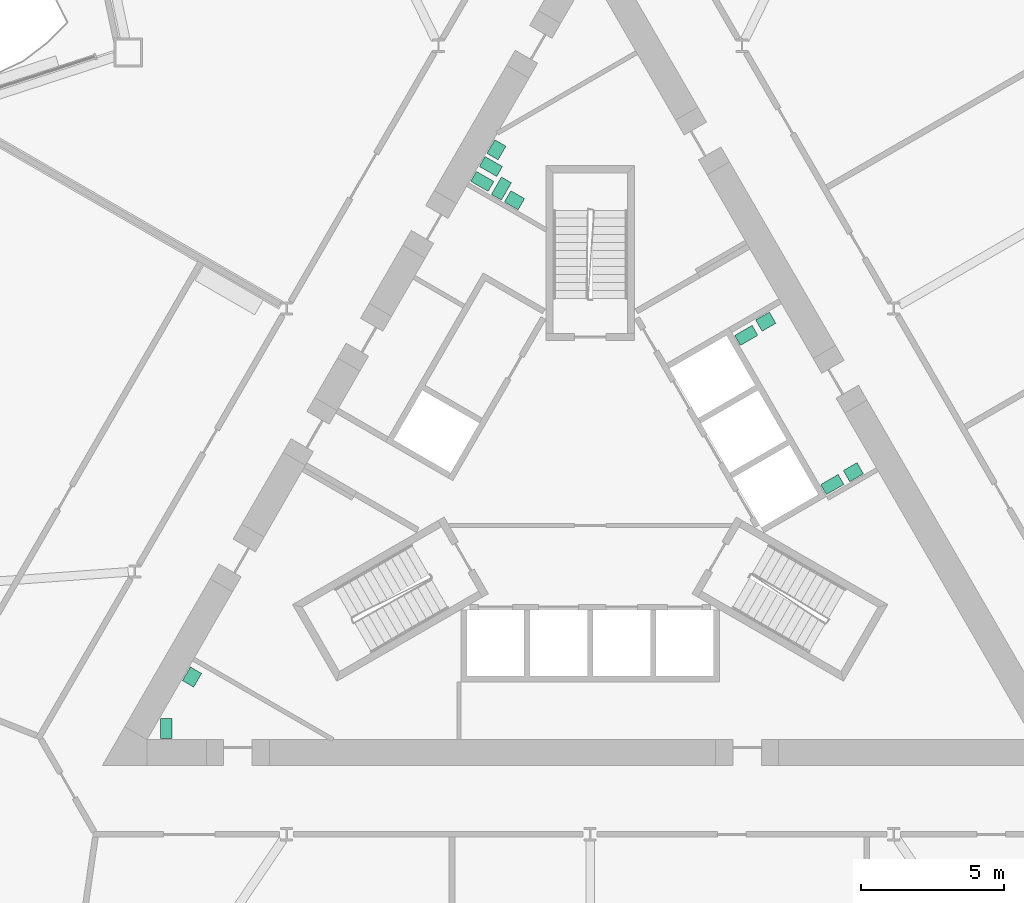
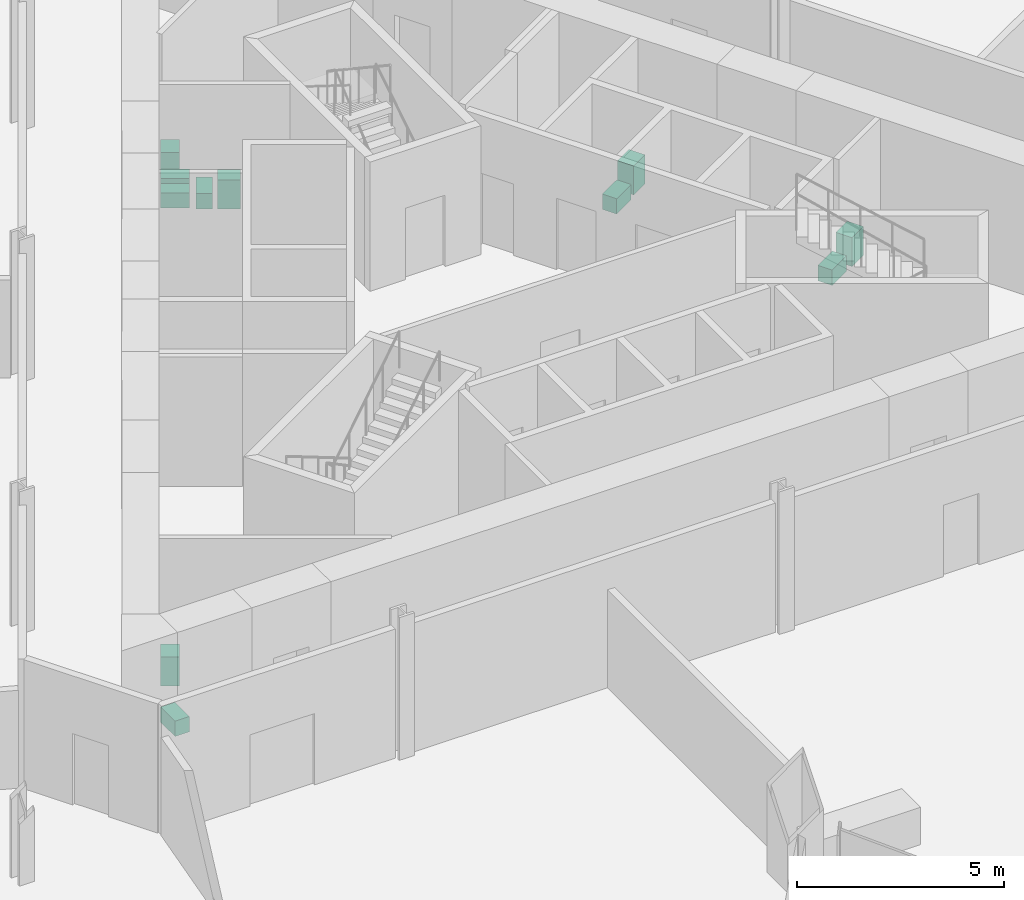
# One storey, part 19 of 20: 11 sanitary terminals.
"""IFC4 building model written with IfcOpenShell, lengths in metres."""

import ifcopenshell
import ifcopenshell.guid

model = None  # the IFC model being written
_history = None  # IfcOwnerHistory: only IFC2X3 demands one
_inside = {}  # id of a spatial element -> (the spatial element, [elements in it])
_under = {}  # id of a project, library or spatial element -> (it, [spatial elements below it])
_declared = {}  # id of a project -> (the project, [libraries it declares])
_typed = {}  # id of a type object -> (the type object, [elements of that type])
_made_of = {}  # id of a material, layer set ... -> (it, [elements and type objects made of it])


def new_model(schema):
    """Start an empty IFC model of exactly this schema.

    Asked for "IFC4X3", IfcOpenShell would pick the latest addendum, in which some entities
    have other attributes; the version numbers below select the first issue.
    IFC2X3 requires an IfcOwnerHistory on every rooted entity: one is made here for all.
    """
    global model, _history
    if schema == "IFC4X3":
        model = ifcopenshell.file(schema_version=(4, 3, 0, 0))
    else:
        model = ifcopenshell.file(schema=schema)
    _inside.clear()
    _under.clear()
    _declared.clear()
    _typed.clear()
    _made_of.clear()
    _history = None
    if model.schema == "IFC2X3":
        org = make("IfcOrganization", Name="unknown")
        user = make(
            "IfcPersonAndOrganization",
            ThePerson=make("IfcPerson", FamilyName="unknown"),
            TheOrganization=org,
        )
        app = make(
            "IfcApplication",
            ApplicationDeveloper=org,
            Version="unknown",
            ApplicationFullName="unknown",
            ApplicationIdentifier="unknown",
        )
        _history = make(
            "IfcOwnerHistory",
            OwningUser=user,
            OwningApplication=app,
            ChangeAction="ADDED",
            CreationDate=0,
        )
    return model


def make(cls, **values):
    """One entity of the class cls with the attributes given. An attribute that is None is left unset."""
    return model.create_entity(
        cls, **{name: value for name, value in values.items() if value is not None}
    )


def rooted(cls, **values):
    """An entity with a GlobalId (a new one), such as an element, a storey or a relation."""
    return make(cls, GlobalId=ifcopenshell.guid.new(), OwnerHistory=_history, **values)


def si_unit(unit_type, name, prefix=None):
    """IfcSIUnit, for example si_unit("LENGTHUNIT", "METRE", prefix="MILLI")."""
    return make("IfcSIUnit", UnitType=unit_type, Prefix=prefix, Name=name)


def assignment(units):
    """IfcUnitAssignment: the units of a project."""
    return None if units is None else make("IfcUnitAssignment", Units=units)


def point(xyz):
    """IfcCartesianPoint."""
    return None if xyz is None else make("IfcCartesianPoint", Coordinates=xyz)


def direction(xyz):
    """IfcDirection."""
    return None if xyz is None else make("IfcDirection", DirectionRatios=xyz)


def frame(location, z_axis=None, x_axis=None):
    """IfcAxis2Placement3D, a coordinate frame: its origin and axes. An axis left out is left unset."""
    return make(
        "IfcAxis2Placement3D",
        Location=point(location),
        Axis=direction(z_axis),
        RefDirection=direction(x_axis),
    )


def frame_2d(location, x_axis=None):
    """IfcAxis2Placement2D, a coordinate frame in the plane: its origin and x axis."""
    return make(
        "IfcAxis2Placement2D", Location=point(location), RefDirection=direction(x_axis)
    )


def origin():
    """The frame at (0, 0, 0) with its axes left unset."""
    return frame((0.0, 0.0, 0.0))


def origin_2d():
    """The frame at (0, 0) in the plane with its x axis left unset."""
    return frame_2d((0.0, 0.0))


def place(relative_to, where):
    """IfcLocalPlacement: puts the frame where relative to a parent placement (None: the world)."""
    return make(
        "IfcLocalPlacement", PlacementRelTo=relative_to, RelativePlacement=where
    )


def context(
    kind, dimensions, precision=None, world=None, true_north=None, identifier=None
):
    """IfcGeometricRepresentationContext, for example the 3D "Model" context."""
    return make(
        "IfcGeometricRepresentationContext",
        ContextIdentifier=identifier,
        ContextType=kind,
        CoordinateSpaceDimension=dimensions,
        Precision=precision,
        WorldCoordinateSystem=world,
        TrueNorth=true_north,
    )


def subcontext(parent, identifier, kind, view, scale=None):
    """IfcGeometricRepresentationSubContext, for example "Body" below "Model"."""
    return make(
        "IfcGeometricRepresentationSubContext",
        ContextIdentifier=identifier,
        ContextType=kind,
        ParentContext=parent,
        TargetScale=scale,
        TargetView=view,
    )


def project(units=None, contexts=None):
    """IfcProject with its units and contexts."""
    return rooted(
        "IfcProject",
        Name="project",
        RepresentationContexts=contexts,
        UnitsInContext=assignment(units),
    )


def spatial(cls, under=None, at=None, **own):
    """A site, building, storey or space (cls), placed at a placement, below another one or the project."""
    s = rooted(cls, ObjectPlacement=at, **own)
    if under is not None:
        _under.setdefault(under.id(), (under, []))[1].append(s)
    return s


def profile(cls, at=None, kind="AREA", **sizes):
    """A parametric profile (cls). Its sizes go by their IFC names, for example OverallWidth=200.0."""
    return make(cls, ProfileType=kind, Position=at, **sizes)


def rectangle(**sizes):
    """IfcRectangleProfileDef."""
    return profile("IfcRectangleProfileDef", **sizes)


def extrude(swept, where, along, depth):
    """IfcExtrudedAreaSolid: the profile swept, set in the frame where, extruded along a direction by depth."""
    return make(
        "IfcExtrudedAreaSolid",
        SweptArea=swept,
        Position=where,
        ExtrudedDirection=direction(along),
        Depth=depth,
    )


def shape(context_of_items, identifier, shape_type, items):
    """IfcShapeRepresentation: the items that make up one representation, for example the "Body"."""
    return make(
        "IfcShapeRepresentation",
        ContextOfItems=context_of_items,
        RepresentationIdentifier=identifier,
        RepresentationType=shape_type,
        Items=items,
    )


def material(Name=None, Category=None):
    """IfcMaterial."""
    return make("IfcMaterial", Name=Name, Category=Category)


def made_of(thing, what):
    """Note that an element or type object is made of a material, layer set ...; save() writes the relation."""
    if what is not None:
        _made_of.setdefault(what.id(), (what, []))[1].append(thing)
    return thing


def type_object(cls, material=None, **own):
    """A type object (cls), such as IfcWallType, which elements share."""
    return made_of(rooted(cls, **own), material)


def element(
    cls,
    number,
    at=None,
    inside=None,
    cuts=None,
    type_object=None,
    material=None,
    context=None,
    identifier="Body",
    shape_type=None,
    held_by="IfcProductDefinitionShape",
    body=None,
    shapes=None,
    **own,
):
    """One element of the class cls, such as IfcWall. Its Tag is "e" and its number.

    at: its placement. inside: the storey or other place that contains it. cuts: it is an
    opening in that element (IfcRelVoidsElement). A single representation is given by context,
    identifier, shape_type and body (its items); several are given by shapes. held_by: the class
    of the entity that holds the representations. save() writes the other relations.
    """
    e = rooted(cls, Tag="e%d" % number, ObjectPlacement=at, **own)
    if body is not None:
        shapes = [shape(context, identifier, shape_type, body)]
    if shapes is not None:
        e.Representation = make(held_by, Representations=shapes)
    if inside is not None:
        _inside.setdefault(inside.id(), (inside, []))[1].append(e)
    if cuts is not None:
        rooted(
            "IfcRelVoidsElement", RelatingBuildingElement=cuts, RelatedOpeningElement=e
        )
    if type_object is not None:
        _typed.setdefault(type_object.id(), (type_object, []))[1].append(e)
    return made_of(e, material)


def aggregate(whole, parts):
    """IfcRelAggregates: a whole, such as a stair, and the parts it consists of."""
    return rooted("IfcRelAggregates", RelatingObject=whole, RelatedObjects=parts)


def save(model, path):
    """Write the relations noted so far, then the file.

    IfcRelAggregates (storeys below a building ...), IfcRelContainedInSpatialStructure (elements
    in a storey), IfcRelDefinesByType, IfcRelAssociatesMaterial and IfcRelDeclares: one each for
    every whole, place, type object, material and project.
    """
    for whole, parts in _under.values():
        aggregate(whole, parts)
    for where, things in _inside.values():
        rooted(
            "IfcRelContainedInSpatialStructure",
            RelatedElements=things,
            RelatingStructure=where,
        )
    for kind, things in _typed.values():
        rooted("IfcRelDefinesByType", RelatedObjects=things, RelatingType=kind)
    for what, things in _made_of.values():
        rooted("IfcRelAssociatesMaterial", RelatedObjects=things, RelatingMaterial=what)
    for by, libraries in _declared.values():
        rooted("IfcRelDeclares", RelatingContext=by, RelatedDefinitions=libraries)
    model.write(path)


model = new_model("IFC4")

# Units and contexts
model_context = context("Model", 3, precision=1e-05, world=origin(), true_north=direction((0.0, 1.0)))
body_context = subcontext(model_context, "Body", "Model", "MODEL_VIEW")
ifc_project = project(units=[si_unit("LENGTHUNIT", "METRE"), si_unit("AREAUNIT", "SQUARE_METRE"), si_unit("VOLUMEUNIT", "CUBIC_METRE"), si_unit("PLANEANGLEUNIT", "RADIAN"), si_unit("MASSUNIT", "GRAM", prefix="KILO")], contexts=[model_context])

# Site, building, storey
site_placement = place(None, origin())
site = spatial("IfcSite", under=ifc_project, at=site_placement, CompositionType="ELEMENT")
building_placement = place(site_placement, origin())
building = spatial("IfcBuilding", under=site, at=building_placement, Name="Cormorant Prow Tower", CompositionType="ELEMENT")
storey_placement = place(building_placement, frame((0.0, 0.0, 34.199951171875)))
storey = spatial("IfcBuildingStorey", under=building, at=storey_placement, Name="L06", CompositionType="ELEMENT", Elevation=34.199951171875)

# Sanitary terminals
ifc_material_1 = material(Name="Vitreous china")
sanitary_terminal_type_1 = type_object("IfcSanitaryTerminalType", Name="Wash basin 550x450", PredefinedType="WASHHANDBASIN", material=ifc_material_1)
for number, where, z_axis, x_axis, name in (
    (1, (-3.267578125, 11.640380859375, 0.0), (0.0, 0.0, 1.0), (-0.5, -0.866025403784, 0.0), "Wash basin"),
    (2, (-2.6376953125, 9.881103515625, 0.0), (0.0, 0.0, 1.0), (0.866016677006, -0.500015114919, 0.0), "Wash basin"),
    (3, (6.118896484375, 5.651611328125, 0.0), (0.0, 0.0, 1.0), (-0.866042856549, -0.499969769706, 0.0), "Wash basin"),
    (4, (9.172119140625, 0.405517578125, 0.0), (0.0, 0.0, 1.0), (0.866016677006, 0.500015114919, 0.0), "Wash basin"),
    (5, (-13.87548828125, -6.733154296875, 0.0), (0.0, 0.0, 1.0), (-0.5, -0.866025403784, 0.0), "Wash basin"),
):
    element("IfcSanitaryTerminal", number, at=place(storey_placement, frame(where, z_axis=z_axis, x_axis=x_axis)), inside=storey, type_object=sanitary_terminal_type_1, Name=name, PredefinedType="WASHHANDBASIN", context=body_context, shape_type="SweptSolid", body=[
        extrude(rectangle(XDim=0.550048828125, YDim=0.449951171875, at=origin_2d()), origin(), (0.0, 0.0, 1.0), 0.85009765625),
    ])
ifc_material_2 = material(Name="Vitreous china")
sanitary_terminal_type_2 = type_object("IfcSanitaryTerminalType", Name="Water closet 400x700", PredefinedType="WCSEAT", material=ifc_material_2)
for number, where, z_axis, x_axis, name in (
    (6, (-3.75927734375, 10.538818359375, 0.0), (0.0, 0.0, 1.0), (-0.5, -0.866025403784, 0.0), "Water closet"),
    (7, (-3.459228515625, 11.058349609375, 0.0), (0.0, 0.0, 1.0), (-0.5, -0.866025403784, 0.0), "Water closet"),
    (8, (-3.0947265625, 10.289306640625, 0.0), (0.0, 0.0, 1.0), (0.866016677006, -0.500015114919, 0.0), "Water closet"),
    (9, (8.4384765625, -0.02392578125, 0.0), (0.0, 0.0, 1.0), (0.5, -0.866025403784, 0.0), "Water closet"),
    (10, (5.438720703125, 5.172119140625, 0.0), (0.0, 0.0, 1.0), (0.5, -0.866025403784, 0.0), "Water closet"),
    (11, (-14.77197265625, -8.52490234375, 0.0), (0.0, 0.0, 1.0), (1.0, 0.0, 0.0), "Water closet"),
):
    element("IfcSanitaryTerminal", number, at=place(storey_placement, frame(where, z_axis=z_axis, x_axis=x_axis)), inside=storey, type_object=sanitary_terminal_type_2, Name=name, PredefinedType="WCSEAT", context=body_context, shape_type="SweptSolid", body=[
        extrude(rectangle(XDim=0.39990234375, YDim=0.699951171875, at=origin_2d()), origin(), (0.0, 0.0, 1.0), 0.449951171875),
    ])

save(model, "model.ifc")
